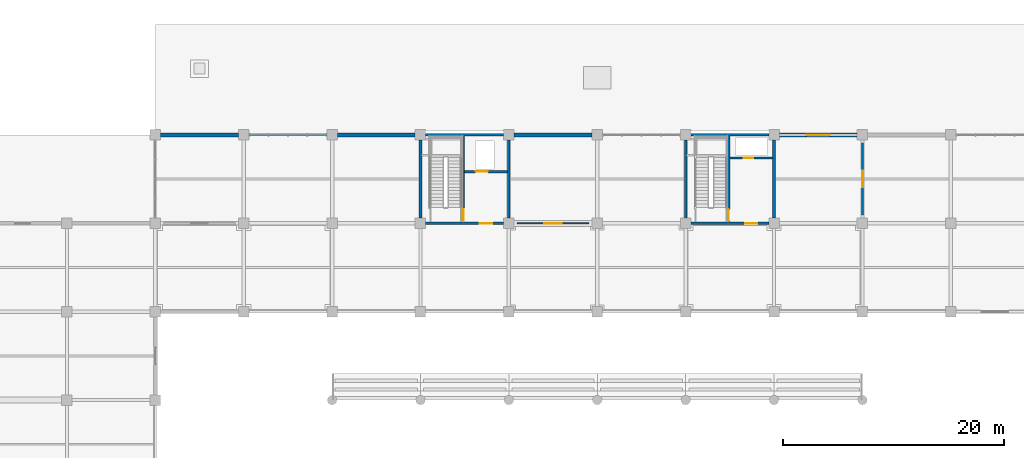
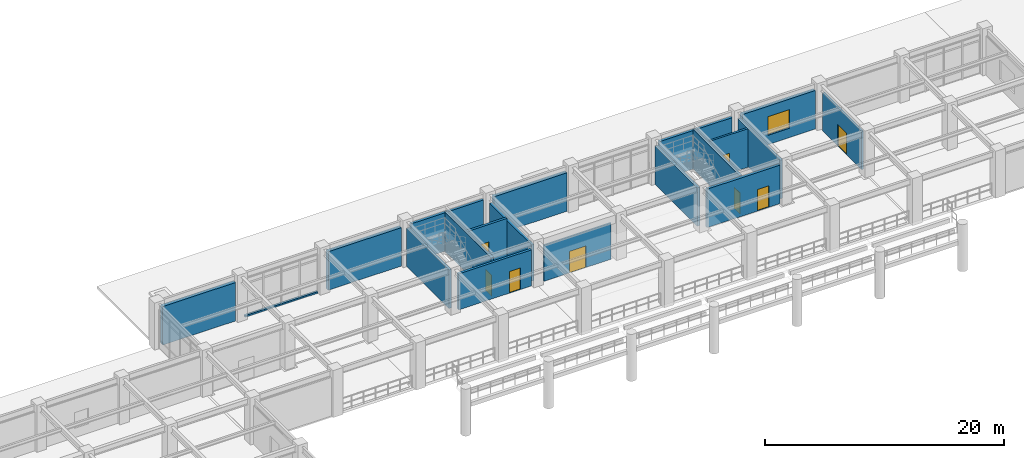
# One storey, part 80 of 109: 19 walls, 8 doors, 1 window, 9 openings.
"""IFC4 building model written with IfcOpenShell, lengths in metres."""

from ifc_helpers import new_model, si_unit, direction, frame, frame_2d, origin, place, context, subcontext, project, spatial, rectangle, extrude, material, layer, layer_set, type_object, element, fill, save


model = new_model("IFC4")

# Units and contexts
model_context = context("Model", 3, precision=1e-05, world=origin(), true_north=direction((0.0, 1.0)))
body_context = subcontext(model_context, "Body", "Model", "MODEL_VIEW")
ifc_project = project(units=[si_unit("LENGTHUNIT", "METRE"), si_unit("AREAUNIT", "SQUARE_METRE"), si_unit("VOLUMEUNIT", "CUBIC_METRE"), si_unit("PLANEANGLEUNIT", "RADIAN"), si_unit("MASSUNIT", "GRAM", prefix="KILO")], contexts=[model_context])

# Site, building, storey
site_placement = place(None, origin())
site = spatial("IfcSite", under=ifc_project, at=site_placement, CompositionType="ELEMENT")
building_placement = place(site_placement, origin())
building = spatial("IfcBuilding", under=site, at=building_placement, Name="Haebicheon Civic Stadium", CompositionType="ELEMENT")
storey_placement = place(building_placement, frame((0.0, 0.0, 9.60009765625)))
storey = spatial("IfcBuildingStorey", under=building, at=storey_placement, Name="L03", CompositionType="ELEMENT", Elevation=9.60009765625)

# Wall, opening, door
ifc_material_1 = material(Name="Concrete C40/50", Category="concrete")
ifc_layer_1 = layer(ifc_material_1, 0.239990234375, Name="Concrete C40/50")
ifc_layer_set_1 = layer_set([ifc_layer_1], Name="Concrete C40/50")
wall_type_1 = type_object("IfcWallType", Name="CW-SHR-240", PredefinedType="SHEAR", material=ifc_layer_set_1)
wall_1_placement = place(storey_placement, frame((88.47509765625, 160.0, 0.0), z_axis=(0.0, 0.0, 1.0), x_axis=(1.0, 0.0, 0.0)))
wall_1 = element("IfcWall", 1, at=wall_1_placement, inside=storey, type_object=wall_type_1, material=ifc_layer_set_1, Name="KC-08 L03 south core shear wall", PredefinedType="SHEAR", context=body_context, shape_type="SweptSolid", body=[
    extrude(rectangle(XDim=7.0498046875, YDim=0.239990234375, at=frame_2d((3.52490234375, 0.0))), origin(), (0.0, 0.0, 1.0), 3.679931640625),
])
opening_1_placement = place(wall_1_placement, frame((4.89990234375, 0.0, 0.0)))
opening_1 = element("IfcOpeningElement", 2, at=opening_1_placement, cuts=wall_1, Name="Opening D-L03-KC-08-LOB", PredefinedType="OPENING", context=body_context, shape_type="SweptSolid", body=[
    extrude(rectangle(XDim=1.10009765625, YDim=2.199951171875, at=frame_2d((0.550048828125, 1.10009765625))), frame((0.0, 0.1298828125, 0.0), z_axis=(0.0, -1.0, 0.0), x_axis=(1.0, 0.0, 0.0)), (0.0, 0.0, 1.0), 0.260009765625),
])
ifc_material_2 = material(Name="Galvanised painted steel SM355", Category="steel")
door_type_1 = type_object("IfcDoorType", Name="ID-FD-1100", OperationType="NOTDEFINED", PredefinedType="DOOR", material=ifc_material_2)
door_1_placement = place(opening_1_placement, origin())
door_1 = element("IfcDoor", 3, at=door_1_placement, inside=storey, type_object=door_type_1, material=ifc_material_2, Name="L03 KC-08 lobby fire door", OperationType="SINGLE_SWING_LEFT", OverallHeight=2.199951171875, OverallWidth=1.10009765625, PredefinedType="DOOR", context=body_context, shape_type="SweptSolid", body=[
    extrude(rectangle(XDim=1.10009765625, YDim=2.199951171875, at=frame_2d((0.550048828125, 1.10009765625))), frame((0.0, 0.02490234375, 0.0), z_axis=(0.0, -1.0, 0.0), x_axis=(1.0, 0.0, 0.0)), (0.0, 0.0, 1.0), 0.050048828125),
])
fill(opening_1, door_1)

# Walls
for number, where, z_axis, x_axis, name in (
    (4, (88.47509765625, 168.0, 0.0), (0.0, 0.0, 1.0), (1.0, 0.0, 0.0), "KC-08 L03 north core shear wall"),
    (5, (88.0, 160.47509765625, 0.0), (0.0, 0.0, 1.0), (0.0, 1.0, 0.0), "KC-08 L03 west core shear wall"),
):
    element("IfcWall", number, at=place(storey_placement, frame(where, z_axis=z_axis, x_axis=x_axis)), inside=storey, type_object=wall_type_1, material=ifc_layer_set_1, Name=name, PredefinedType="SHEAR", context=body_context, shape_type="SweptSolid", body=[
        extrude(rectangle(XDim=7.0498046875, YDim=0.239990234375, at=frame_2d((3.52490234375, 0.0))), origin(), (0.0, 0.0, 1.0), 3.929931640625),
    ])
wall_2_placement = place(storey_placement, frame((96.0, 160.47509765625, 0.0), z_axis=(0.0, 0.0, 1.0), x_axis=(0.0, 1.0, 0.0)))
element("IfcWall", 6, at=wall_2_placement, inside=storey, type_object=wall_type_1, material=ifc_layer_set_1, Name="KC-08 L03 east core shear wall", PredefinedType="SHEAR", context=body_context, shape_type="SweptSolid", body=[
    extrude(rectangle(XDim=7.0498046875, YDim=0.239990234375, at=frame_2d((3.52490234375, 0.0))), origin(), (0.0, 0.0, 1.0), 3.679931640625),
])

# Wall, opening, door
wall_3_placement = place(storey_placement, frame((91.8798828125, 160.1201171875, 0.0), z_axis=(0.0, 0.0, 1.0), x_axis=(0.0, 1.0, 0.0)))
wall_3 = element("IfcWall", 7, at=wall_3_placement, inside=storey, type_object=wall_type_1, material=ifc_layer_set_1, Name="KC-08 L03 stair-lobby dividing shear wall", PredefinedType="SHEAR", context=body_context, shape_type="SweptSolid", body=[
    extrude(rectangle(XDim=7.759765625, YDim=0.239990234375, at=frame_2d((3.8798828125, 0.0))), origin(), (0.0, 0.0, 1.0), 4.02978515625),
])
opening_2_placement = place(wall_3_placement, frame((0.080078125, 0.0, 0.0)))
opening_2 = element("IfcOpeningElement", 8, at=opening_2_placement, cuts=wall_3, Name="Opening D-L03-KC-08-STR", PredefinedType="OPENING", context=body_context, shape_type="SweptSolid", body=[
    extrude(rectangle(XDim=1.050048828125, YDim=2.14990234375, at=frame_2d((0.52490234375, 1.074951171875))), frame((0.0, 0.1298828125, 0.0), z_axis=(0.0, -1.0, 0.0), x_axis=(1.0, 0.0, 0.0)), (0.0, 0.0, 1.0), 0.260009765625),
])
ifc_material_3 = material(Name="Galvanised painted steel SM355", Category="steel")
door_type_2 = type_object("IfcDoorType", Name="ID-FD-1050", OperationType="NOTDEFINED", PredefinedType="DOOR", material=ifc_material_3)
door_2_placement = place(opening_2_placement, origin())
door_2 = element("IfcDoor", 9, at=door_2_placement, inside=storey, type_object=door_type_2, material=ifc_material_3, Name="L03 ST-08 stairwell escape door", OperationType="SINGLE_SWING_RIGHT", OverallHeight=2.14990234375, OverallWidth=1.050048828125, PredefinedType="DOOR", context=body_context, shape_type="SweptSolid", body=[
    extrude(rectangle(XDim=1.050048828125, YDim=2.14990234375, at=frame_2d((0.52490234375, 1.074951171875))), frame((0.0, 0.02490234375, 0.0), z_axis=(0.0, -1.0, 0.0), x_axis=(1.0, 0.0, 0.0)), (0.0, 0.0, 1.0), 0.050048828125),
])
fill(opening_2, door_2)

wall_4_placement = place(storey_placement, frame((92.0, 164.679931640625, 0.0), z_axis=(0.0, 0.0, 1.0), x_axis=(1.0, 0.0, 0.0)))
wall_4 = element("IfcWall", 10, at=wall_4_placement, inside=storey, type_object=wall_type_1, material=ifc_layer_set_1, Name="KC-08 L03 lift shaft front wall", PredefinedType="SHEAR", context=body_context, shape_type="SweptSolid", body=[
    extrude(rectangle(XDim=3.8798828125, YDim=0.239990234375, at=frame_2d((1.93994140625, 0.0))), origin(), (0.0, 0.0, 1.0), 3.929931640625),
])
opening_3_placement = place(wall_4_placement, frame((1.0, 0.0, 0.0)))
opening_3 = element("IfcOpeningElement", 11, at=opening_3_placement, cuts=wall_4, Name="Opening LD-06-L03", PredefinedType="OPENING", context=body_context, shape_type="SweptSolid", body=[
    extrude(rectangle(XDim=1.10009765625, YDim=2.14990234375, at=frame_2d((0.550048828125, 1.074951171875))), frame((0.0, 0.1298828125, 0.0), z_axis=(0.0, -1.0, 0.0), x_axis=(1.0, 0.0, 0.0)), (0.0, 0.0, 1.0), 0.260009765625),
])
ifc_material_4 = material(Name="Stainless steel 316", Category="steel")
door_type_3 = type_object("IfcDoorType", Name="ID-LD-1100", OperationType="NOTDEFINED", PredefinedType="DOOR", material=ifc_material_4)
door_3_placement = place(opening_3_placement, origin())
door_3 = element("IfcDoor", 12, at=door_3_placement, inside=storey, type_object=door_type_3, material=ifc_material_4, Name="LF-06 lift landing sliding door L03", OperationType="SLIDING_TO_LEFT", OverallHeight=2.14990234375, OverallWidth=1.10009765625, PredefinedType="DOOR", context=body_context, shape_type="SweptSolid", body=[
    extrude(rectangle(XDim=1.10009765625, YDim=2.14990234375, at=frame_2d((0.550048828125, 1.074951171875))), frame((0.0, 0.02490234375, 0.0), z_axis=(0.0, -1.0, 0.0), x_axis=(1.0, 0.0, 0.0)), (0.0, 0.0, 1.0), 0.050048828125),
])
fill(opening_3, door_3)

wall_5_placement = place(storey_placement, frame((112.47509765625, 160.0, 0.0), z_axis=(0.0, 0.0, 1.0), x_axis=(1.0, 0.0, 0.0)))
wall_5 = element("IfcWall", 13, at=wall_5_placement, inside=storey, type_object=wall_type_1, material=ifc_layer_set_1, Name="KC-09 L03 south core shear wall", PredefinedType="SHEAR", context=body_context, shape_type="SweptSolid", body=[
    extrude(rectangle(XDim=7.0498046875, YDim=0.239990234375, at=frame_2d((3.52490234375, 0.0))), origin(), (0.0, 0.0, 1.0), 3.929931640625),
])
opening_4_placement = place(wall_5_placement, frame((4.89990234375, 0.0, 0.0)))
opening_4 = element("IfcOpeningElement", 14, at=opening_4_placement, cuts=wall_5, Name="Opening D-L03-KC-09-LOB", PredefinedType="OPENING", context=body_context, shape_type="SweptSolid", body=[
    extrude(rectangle(XDim=1.10009765625, YDim=2.199951171875, at=frame_2d((0.550048828125, 1.10009765625))), frame((0.0, 0.1298828125, 0.0), z_axis=(0.0, -1.0, 0.0), x_axis=(1.0, 0.0, 0.0)), (0.0, 0.0, 1.0), 0.260009765625),
])
door_4_placement = place(opening_4_placement, origin())
door_4 = element("IfcDoor", 15, at=door_4_placement, inside=storey, type_object=door_type_1, material=ifc_material_2, Name="L03 KC-09 lobby fire door", OperationType="SINGLE_SWING_LEFT", OverallHeight=2.199951171875, OverallWidth=1.10009765625, PredefinedType="DOOR", context=body_context, shape_type="SweptSolid", body=[
    extrude(rectangle(XDim=1.10009765625, YDim=2.199951171875, at=frame_2d((0.550048828125, 1.10009765625))), frame((0.0, 0.02490234375, 0.0), z_axis=(0.0, -1.0, 0.0), x_axis=(1.0, 0.0, 0.0)), (0.0, 0.0, 1.0), 0.050048828125),
])
fill(opening_4, door_4)

# Walls
for number, where, z_axis, x_axis, name in (
    (16, (112.47509765625, 168.0, 0.0), (0.0, 0.0, 1.0), (1.0, 0.0, 0.0), "KC-09 L03 north core shear wall"),
    (17, (112.0, 160.47509765625, 0.0), (0.0, 0.0, 1.0), (0.0, 1.0, 0.0), "KC-09 L03 west core shear wall"),
    (18, (120.0, 160.47509765625, 0.0), (0.0, 0.0, 1.0), (0.0, 1.0, 0.0), "KC-09 L03 east core shear wall"),
):
    element("IfcWall", number, at=place(storey_placement, frame(where, z_axis=z_axis, x_axis=x_axis)), inside=storey, type_object=wall_type_1, material=ifc_layer_set_1, Name=name, PredefinedType="SHEAR", context=body_context, shape_type="SweptSolid", body=[
        extrude(rectangle(XDim=7.0498046875, YDim=0.239990234375, at=frame_2d((3.52490234375, 0.0))), origin(), (0.0, 0.0, 1.0), 3.929931640625),
    ])

# Wall, opening, door
wall_6_placement = place(storey_placement, frame((115.8798828125, 160.1201171875, 0.0), z_axis=(0.0, 0.0, 1.0), x_axis=(0.0, 1.0, 0.0)))
wall_6 = element("IfcWall", 19, at=wall_6_placement, inside=storey, type_object=wall_type_1, material=ifc_layer_set_1, Name="KC-09 L03 stair-lobby dividing shear wall", PredefinedType="SHEAR", context=body_context, shape_type="SweptSolid", body=[
    extrude(rectangle(XDim=7.759765625, YDim=0.239990234375, at=frame_2d((3.8798828125, 0.0))), origin(), (0.0, 0.0, 1.0), 4.02978515625),
])
opening_5_placement = place(wall_6_placement, frame((0.080078125, 0.0, 0.0)))
opening_5 = element("IfcOpeningElement", 20, at=opening_5_placement, cuts=wall_6, Name="Opening D-L03-KC-09-STR", PredefinedType="OPENING", context=body_context, shape_type="SweptSolid", body=[
    extrude(rectangle(XDim=1.050048828125, YDim=2.14990234375, at=frame_2d((0.52490234375, 1.074951171875))), frame((0.0, 0.1298828125, 0.0), z_axis=(0.0, -1.0, 0.0), x_axis=(1.0, 0.0, 0.0)), (0.0, 0.0, 1.0), 0.260009765625),
])
door_5_placement = place(opening_5_placement, origin())
door_5 = element("IfcDoor", 21, at=door_5_placement, inside=storey, type_object=door_type_2, material=ifc_material_3, Name="L03 ST-09 stairwell escape door", OperationType="SINGLE_SWING_RIGHT", OverallHeight=2.14990234375, OverallWidth=1.050048828125, PredefinedType="DOOR", context=body_context, shape_type="SweptSolid", body=[
    extrude(rectangle(XDim=1.050048828125, YDim=2.14990234375, at=frame_2d((0.52490234375, 1.074951171875))), frame((0.0, 0.02490234375, 0.0), z_axis=(0.0, -1.0, 0.0), x_axis=(1.0, 0.0, 0.0)), (0.0, 0.0, 1.0), 0.050048828125),
])
fill(opening_5, door_5)

# Walls
ifc_material_5 = material(Name="Concrete C40/50", Category="concrete")
ifc_layer_2 = layer(ifc_material_5, 0.35009765625, Name="Concrete C40/50")
ifc_layer_set_2 = layer_set([ifc_layer_2], Name="Concrete C40/50")
wall_type_2 = type_object("IfcWallType", Name="EW-BM-350", PredefinedType="SOLIDWALL", material=ifc_layer_set_2)
for number, where, z_axis, x_axis, name in (
    (22, (64.47509765625, 168.0, 0.0), (0.0, 0.0, 1.0), (1.0, 0.0, 0.0), "L03 board-marked concrete facade wall 08-21-N"),
    (23, (80.47509765625, 168.0, 0.0), (0.0, 0.0, 1.0), (1.0, 0.0, 0.0), "L03 board-marked concrete facade wall 10-21-N"),
    (24, (96.47509765625, 168.0, 0.0), (0.0, 0.0, 1.0), (1.0, 0.0, 0.0), "L03 board-marked concrete facade wall 12-21-N"),
):
    element("IfcWall", number, at=place(storey_placement, frame(where, z_axis=z_axis, x_axis=x_axis)), inside=storey, type_object=wall_type_2, material=ifc_layer_set_2, Name=name, PredefinedType="SOLIDWALL", context=body_context, shape_type="SweptSolid", body=[
        extrude(rectangle(XDim=7.0498046875, YDim=0.35009765625, at=frame_2d((3.52490234375, 0.0))), origin(), (0.0, 0.0, 1.0), 3.929931640625),
    ])

# Wall, opening, window
wall_7_placement = place(storey_placement, frame((120.47509765625, 168.0, 0.0), z_axis=(0.0, 0.0, 1.0), x_axis=(1.0, 0.0, 0.0)))
wall_7 = element("IfcWall", 25, at=wall_7_placement, inside=storey, type_object=wall_type_2, material=ifc_layer_set_2, Name="L03 board-marked concrete facade wall 15-21-N", PredefinedType="SOLIDWALL", context=body_context, shape_type="SweptSolid", body=[
    extrude(rectangle(XDim=7.0498046875, YDim=0.35009765625, at=frame_2d((3.52490234375, 0.0))), origin(), (0.0, 0.0, 1.0), 3.929931640625),
])
opening_6_placement = place(wall_7_placement, frame((2.47509765625, 0.0, 0.949951171875)))
opening_6 = element("IfcOpeningElement", 26, at=opening_6_placement, cuts=wall_7, Name="Opening WIN-210x190", PredefinedType="OPENING", context=body_context, shape_type="SweptSolid", body=[
    extrude(rectangle(XDim=2.10009765625, YDim=1.89990234375, at=frame_2d((1.050048828125, 0.949951171875))), frame((0.0, 0.18505859375, 0.0), z_axis=(0.0, -1.0, 0.0), x_axis=(1.0, 0.0, 0.0)), (0.0, 0.0, 1.0), 0.3701171875),
])
ifc_material_6 = material(Name="Anodised aluminium and laminated glass", Category="aluminium")
window_type = type_object("IfcWindowType", Name="WIN-210x190", PartitioningType="SINGLE_PANEL", PredefinedType="WINDOW", material=ifc_material_6)
window_placement = place(opening_6_placement, origin())
window = element("IfcWindow", 27, at=window_placement, inside=storey, type_object=window_type, material=ifc_material_6, Name="L03 facade window 075", OverallHeight=1.89990234375, OverallWidth=2.10009765625, PartitioningType="SINGLE_PANEL", PredefinedType="WINDOW", context=body_context, shape_type="SweptSolid", body=[
    extrude(rectangle(XDim=2.10009765625, YDim=1.89990234375, at=frame_2d((1.050048828125, 0.949951171875))), frame((0.0, 0.030029296875, 0.0), z_axis=(0.0, -1.0, 0.0), x_axis=(1.0, 0.0, 0.0)), (0.0, 0.0, 1.0), 0.06005859375),
])
fill(opening_6, window)

# Wall
ifc_material_7 = material(Name="Precast concrete C40/50", Category="concrete")
ifc_layer_3 = layer(ifc_material_7, 0.219970703125, Name="Precast concrete C40/50")
ifc_layer_set_3 = layer_set([ifc_layer_3], Name="Precast concrete C40/50")
wall_type_3 = type_object("IfcWallType", Name="EW-PAR-220", PredefinedType="PARAPET", material=ifc_layer_set_3)
wall_8_placement = place(storey_placement, frame((72.47509765625, 168.0, 0.0), z_axis=(0.0, 0.0, 1.0), x_axis=(1.0, 0.0, 0.0)))
element("IfcWall", 28, at=wall_8_placement, inside=storey, type_object=wall_type_3, material=ifc_layer_set_3, Name="L03 curtain-wall concrete upstand kerb", PredefinedType="PARAPET", context=body_context, shape_type="SweptSolid", body=[
    extrude(rectangle(XDim=7.0498046875, YDim=0.219970703125, at=frame_2d((3.52490234375, 0.0))), origin(), (0.0, 0.0, 1.0), 0.159912109375),
])

# Wall, opening, door
ifc_material_8 = material(Name="Concrete C35/45", Category="concrete")
ifc_layer_4 = layer(ifc_material_8, 0.199951171875, Name="Concrete C35/45")
ifc_layer_set_4 = layer_set([ifc_layer_4], Name="Concrete C35/45")
wall_type_4 = type_object("IfcWallType", Name="IW-FIR-200", PredefinedType="PARTITIONING", material=ifc_layer_set_4)
wall_9_placement = place(storey_placement, frame((116.0, 165.919921875, 0.0), z_axis=(0.0, 0.0, 1.0), x_axis=(1.0, 0.0, 0.0)))
wall_9 = element("IfcWall", 29, at=wall_9_placement, inside=storey, type_object=wall_type_4, material=ifc_layer_set_4, Name="KC-09 L03 service riser wall", PredefinedType="PARTITIONING", context=body_context, shape_type="SweptSolid", body=[
    extrude(rectangle(XDim=3.8798828125, YDim=0.199951171875, at=frame_2d((1.93994140625, 0.0))), origin(), (0.0, 0.0, 1.0), 3.929931640625),
])
opening_7_placement = place(wall_9_placement, frame((1.25, 0.0, 0.0)))
opening_7 = element("IfcOpeningElement", 30, at=opening_7_placement, cuts=wall_9, Name="Opening D-L03-KC-09-RSR", PredefinedType="OPENING", context=body_context, shape_type="SweptSolid", body=[
    extrude(rectangle(XDim=0.85009765625, YDim=2.050048828125, at=frame_2d((0.425048828125, 1.02490234375))), frame((0.0, 0.10986328125, 0.0), z_axis=(0.0, -1.0, 0.0), x_axis=(1.0, 0.0, 0.0)), (0.0, 0.0, 1.0), 0.219970703125),
])
ifc_material_9 = material(Name="Galvanised painted steel SM355", Category="steel")
door_type_4 = type_object("IfcDoorType", Name="ID-RSR-0850", OperationType="NOTDEFINED", PredefinedType="TRAPDOOR", material=ifc_material_9)
door_6_placement = place(opening_7_placement, origin())
door_6 = element("IfcDoor", 31, at=door_6_placement, inside=storey, type_object=door_type_4, material=ifc_material_9, Name="L03 KC-09 riser access door", OperationType="SINGLE_SWING_LEFT", OverallHeight=2.050048828125, OverallWidth=0.85009765625, PredefinedType="TRAPDOOR", context=body_context, shape_type="SweptSolid", body=[
    extrude(rectangle(XDim=0.85009765625, YDim=2.050048828125, at=frame_2d((0.425048828125, 1.02490234375))), frame((0.0, 0.02490234375, 0.0), z_axis=(0.0, -1.0, 0.0), x_axis=(1.0, 0.0, 0.0)), (0.0, 0.0, 1.0), 0.050048828125),
])
fill(opening_7, door_6)

ifc_material_10 = material(Name="Gypsum plasterboard on steel studs", Category="gypsum")
ifc_layer_5 = layer(ifc_material_10, 0.14990234375, Name="Gypsum plasterboard on steel studs")
ifc_layer_set_5 = layer_set([ifc_layer_5], Name="Gypsum plasterboard on steel studs")
wall_type_5 = type_object("IfcWallType", Name="IW-PRT-150", PredefinedType="PARTITIONING", material=ifc_layer_set_5)
wall_10_placement = place(storey_placement, frame((96.75, 160.0, 0.0), z_axis=(0.0, 0.0, 1.0), x_axis=(1.0, 0.0, 0.0)))
wall_10 = element("IfcWall", 32, at=wall_10_placement, inside=storey, type_object=wall_type_5, material=ifc_layer_set_5, Name="L03 Supporters' Club Lounge partition wall", PredefinedType="PARTITIONING", context=body_context, shape_type="SweptSolid", body=[
    extrude(rectangle(XDim=6.5, YDim=0.14990234375, at=frame_2d((3.25, 0.0))), origin(), (0.0, 0.0, 1.0), 3.679931640625),
])
opening_8_placement = place(wall_10_placement, frame((2.449951171875, 0.0, 0.0)))
opening_8 = element("IfcOpeningElement", 33, at=opening_8_placement, cuts=wall_10, Name="Opening D-L03-292", PredefinedType="OPENING", context=body_context, shape_type="SweptSolid", body=[
    extrude(rectangle(XDim=1.60009765625, YDim=2.199951171875, at=frame_2d((0.800048828125, 1.10009765625))), frame((0.0, 0.0849609375, 0.0), z_axis=(0.0, -1.0, 0.0), x_axis=(1.0, 0.0, 0.0)), (0.0, 0.0, 1.0), 0.169921875),
])
ifc_material_11 = material(Name="Anodised aluminium and laminated glass", Category="aluminium")
door_type_5 = type_object("IfcDoorType", Name="ID-DBL-1600", OperationType="NOTDEFINED", PredefinedType="DOOR", material=ifc_material_11)
door_7_placement = place(opening_8_placement, origin())
door_7 = element("IfcDoor", 34, at=door_7_placement, inside=storey, type_object=door_type_5, material=ifc_material_11, Name="L03 Supporters' Club Lounge entrance door D-L03-292", OperationType="DOUBLE_SWING_LEFT", OverallHeight=2.199951171875, OverallWidth=1.60009765625, PredefinedType="DOOR", context=body_context, shape_type="SweptSolid", body=[
    extrude(rectangle(XDim=1.60009765625, YDim=2.199951171875, at=frame_2d((0.800048828125, 1.10009765625))), frame((0.0, 0.02490234375, 0.0), z_axis=(0.0, -1.0, 0.0), x_axis=(1.0, 0.0, 0.0)), (0.0, 0.0, 1.0), 0.050048828125),
])
fill(opening_8, door_7)

ifc_material_12 = material(Name="Concrete C35/45", Category="concrete")
ifc_layer_6 = layer(ifc_material_12, 0.179931640625, Name="Concrete C35/45")
ifc_layer_set_6 = layer_set([ifc_layer_6], Name="Concrete C35/45")
wall_type_6 = type_object("IfcWallType", Name="IW-PRT-180", PredefinedType="PARTITIONING", material=ifc_layer_set_6)
wall_11_placement = place(storey_placement, frame((128.0, 160.75, 0.0), z_axis=(0.0, 0.0, 1.0), x_axis=(0.0, 1.0, 0.0)))
wall_11 = element("IfcWall", 35, at=wall_11_placement, inside=storey, type_object=wall_type_6, material=ifc_layer_set_6, Name="L03 Club Finishing Kitchen partition wall", PredefinedType="PARTITIONING", context=body_context, shape_type="SweptSolid", body=[
    extrude(rectangle(XDim=6.5, YDim=0.179931640625, at=frame_2d((3.25, 0.0))), origin(), (0.0, 0.0, 1.0), 3.929931640625),
])
opening_9_placement = place(wall_11_placement, frame((2.5, 0.0, 0.0)))
opening_9 = element("IfcOpeningElement", 36, at=opening_9_placement, cuts=wall_11, Name="Opening D-L03-294", PredefinedType="OPENING", context=body_context, shape_type="SweptSolid", body=[
    extrude(rectangle(XDim=1.5, YDim=2.199951171875, at=frame_2d((0.75, 1.10009765625))), frame((0.0, 0.099853515625, 0.0), z_axis=(0.0, -1.0, 0.0), x_axis=(1.0, 0.0, 0.0)), (0.0, 0.0, 1.0), 0.199951171875),
])
ifc_material_13 = material(Name="Galvanised painted steel SM355", Category="steel")
door_type_6 = type_object("IfcDoorType", Name="ID-FD-1500", OperationType="NOTDEFINED", PredefinedType="DOOR", material=ifc_material_13)
door_8_placement = place(opening_9_placement, origin())
door_8 = element("IfcDoor", 37, at=door_8_placement, inside=storey, type_object=door_type_6, material=ifc_material_13, Name="L03 Club Finishing Kitchen entrance door D-L03-294", OperationType="SINGLE_SWING_LEFT", OverallHeight=2.199951171875, OverallWidth=1.5, PredefinedType="DOOR", context=body_context, shape_type="SweptSolid", body=[
    extrude(rectangle(XDim=1.5, YDim=2.199951171875, at=frame_2d((0.75, 1.10009765625))), frame((0.0, 0.02490234375, 0.0), z_axis=(0.0, -1.0, 0.0), x_axis=(1.0, 0.0, 0.0)), (0.0, 0.0, 1.0), 0.050048828125),
])
fill(opening_9, door_8)

save(model, "model.ifc")
